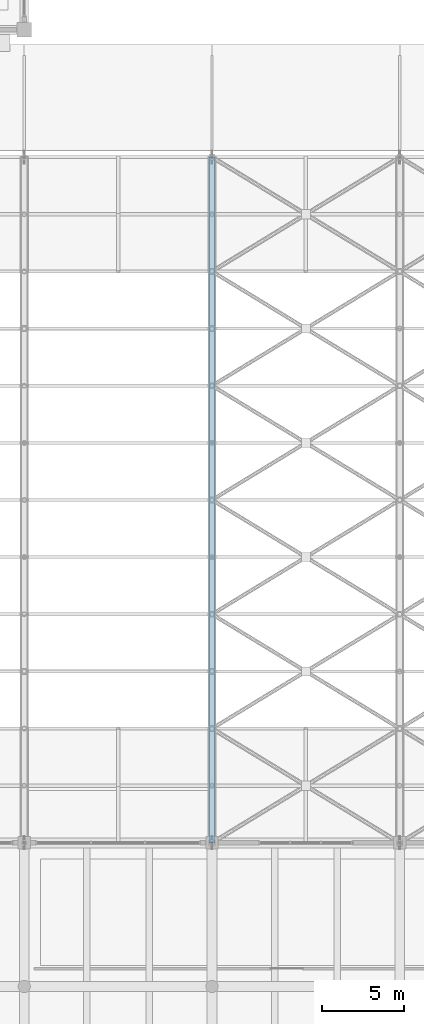
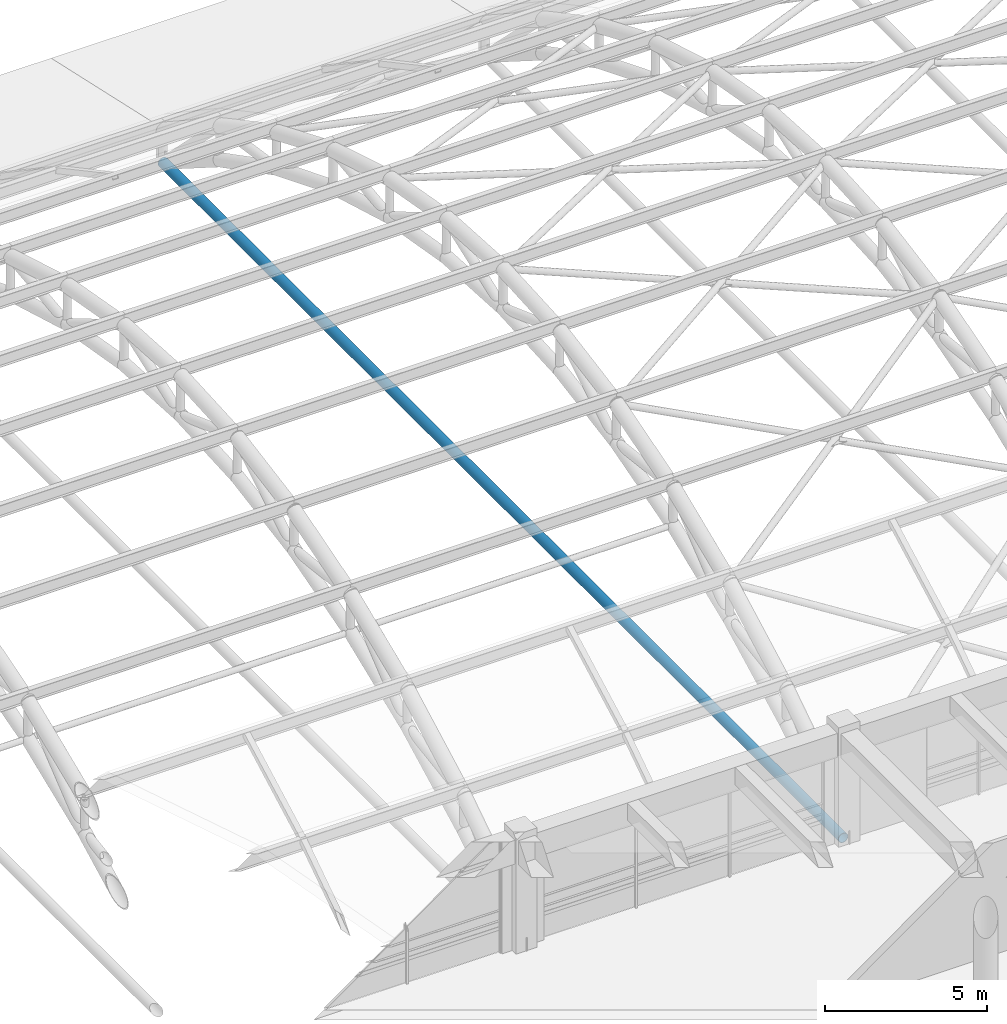
# One storey, part 53 of 154: 1 member.
"""IFC4 building model written with IfcOpenShell, lengths in metres."""

from ifc_helpers import new_model, si_unit, direction, frame, origin, origin_2d, place, context, subcontext, project, spatial, hollow_circle, extrude, material, material_profile, profile_set, type_object, element, save


model = new_model("IFC4")

# Units and contexts
model_context = context("Model", 3, precision=1e-05, world=origin(), true_north=direction((0.0, 1.0)))
body_context = subcontext(model_context, "Body", "Model", "MODEL_VIEW")
ifc_project = project(units=[si_unit("LENGTHUNIT", "METRE"), si_unit("AREAUNIT", "SQUARE_METRE"), si_unit("VOLUMEUNIT", "CUBIC_METRE"), si_unit("PLANEANGLEUNIT", "RADIAN"), si_unit("MASSUNIT", "GRAM", prefix="KILO")], contexts=[model_context])

# Site, building, storey
site_placement = place(None, origin())
site = spatial("IfcSite", under=ifc_project, at=site_placement, CompositionType="ELEMENT")
building_placement = place(site_placement, origin())
building = spatial("IfcBuilding", under=site, at=building_placement, Name="Ologun Quay Terminus", CompositionType="ELEMENT")
storey_placement = place(building_placement, frame((0.0, 0.0, 13.800048828125)))
storey = spatial("IfcBuildingStorey", under=building, at=storey_placement, Name="L03", CompositionType="ELEMENT", Elevation=13.800048828125)

# Member
ifc_material = material(Name="Steel S355", Category="steel")
ifc_material_profile = material_profile(ifc_material, hollow_circle(Radius=0.177734375, WallThickness=0.012451171875, at=origin_2d()), Name="CHS 355.6x12.5")
ifc_profile_set = profile_set([ifc_material_profile], Name="Steel S355")
member_type = type_object("IfcMemberType", Name="Arch Horizontal Tie Chord CHS355", PredefinedType="CHORD", material=ifc_profile_set)
member_placement = place(storey_placement, frame((80.5, 36.0, 0.0), z_axis=(0.0, 1.0, 0.0), x_axis=(-1.0, 0.0, 0.0)))
element("IfcMember", 1, at=member_placement, inside=storey, type_object=member_type, Name="AT1 Arch Tie Chord Grid 8", PredefinedType="CHORD", context=body_context, shape_type="SweptSolid", body=[
    extrude(hollow_circle(Radius=0.177734375, WallThickness=0.012451171875, at=origin_2d()), origin(), (0.0, 0.0, 1.0), 42.0),
])

save(model, "model.ifc")
